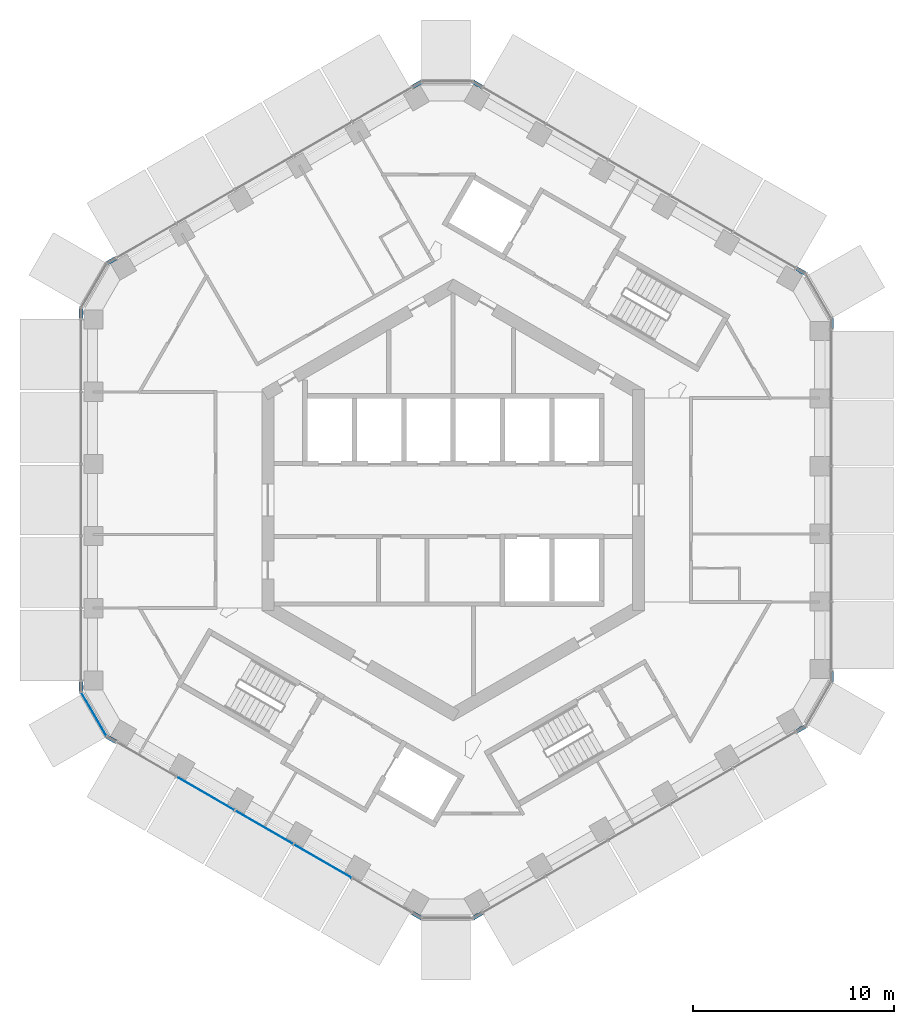
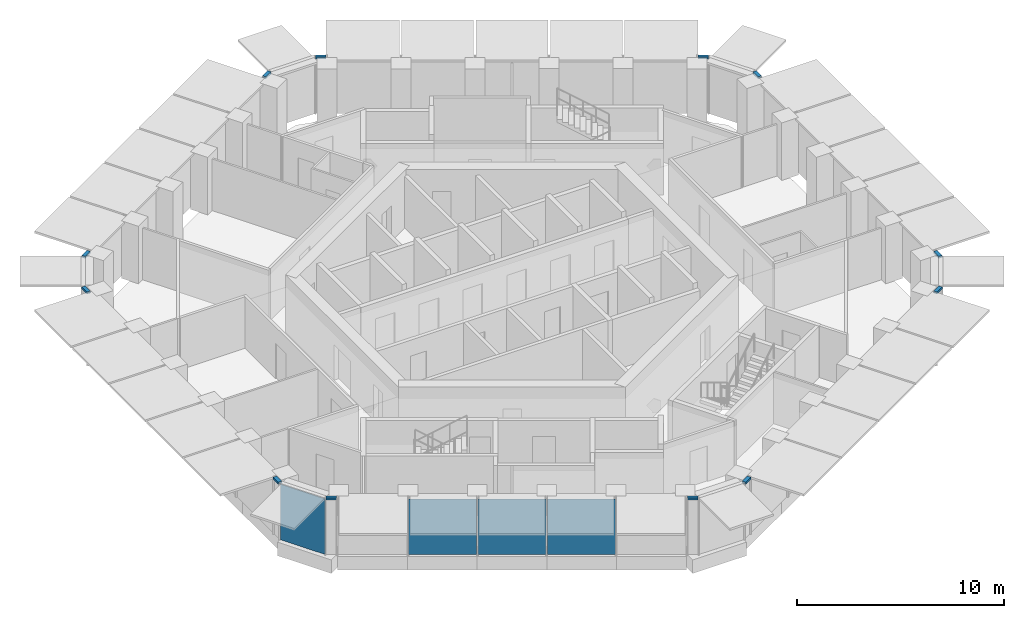
# One storey, part 8 of 18: 12 members, 4 plates, 7 elements without a shape of their own.
"""IFC4 building model written with IfcOpenShell, lengths in metres."""

import ifcopenshell
import ifcopenshell.guid

model = None  # the IFC model being written
_history = None  # IfcOwnerHistory: only IFC2X3 demands one
_inside = {}  # id of a spatial element -> (the spatial element, [elements in it])
_under = {}  # id of a project, library or spatial element -> (it, [spatial elements below it])
_declared = {}  # id of a project -> (the project, [libraries it declares])
_typed = {}  # id of a type object -> (the type object, [elements of that type])
_made_of = {}  # id of a material, layer set ... -> (it, [elements and type objects made of it])


def new_model(schema):
    """Start an empty IFC model of exactly this schema.

    Asked for "IFC4X3", IfcOpenShell would pick the latest addendum, in which some entities
    have other attributes; the version numbers below select the first issue.
    IFC2X3 requires an IfcOwnerHistory on every rooted entity: one is made here for all.
    """
    global model, _history
    if schema == "IFC4X3":
        model = ifcopenshell.file(schema_version=(4, 3, 0, 0))
    else:
        model = ifcopenshell.file(schema=schema)
    _inside.clear()
    _under.clear()
    _declared.clear()
    _typed.clear()
    _made_of.clear()
    _history = None
    if model.schema == "IFC2X3":
        org = make("IfcOrganization", Name="unknown")
        user = make(
            "IfcPersonAndOrganization",
            ThePerson=make("IfcPerson", FamilyName="unknown"),
            TheOrganization=org,
        )
        app = make(
            "IfcApplication",
            ApplicationDeveloper=org,
            Version="unknown",
            ApplicationFullName="unknown",
            ApplicationIdentifier="unknown",
        )
        _history = make(
            "IfcOwnerHistory",
            OwningUser=user,
            OwningApplication=app,
            ChangeAction="ADDED",
            CreationDate=0,
        )
    return model


def make(cls, **values):
    """One entity of the class cls with the attributes given. An attribute that is None is left unset."""
    return model.create_entity(
        cls, **{name: value for name, value in values.items() if value is not None}
    )


def rooted(cls, **values):
    """An entity with a GlobalId (a new one), such as an element, a storey or a relation."""
    return make(cls, GlobalId=ifcopenshell.guid.new(), OwnerHistory=_history, **values)


def si_unit(unit_type, name, prefix=None):
    """IfcSIUnit, for example si_unit("LENGTHUNIT", "METRE", prefix="MILLI")."""
    return make("IfcSIUnit", UnitType=unit_type, Prefix=prefix, Name=name)


def assignment(units):
    """IfcUnitAssignment: the units of a project."""
    return None if units is None else make("IfcUnitAssignment", Units=units)


def point(xyz):
    """IfcCartesianPoint."""
    return None if xyz is None else make("IfcCartesianPoint", Coordinates=xyz)


def direction(xyz):
    """IfcDirection."""
    return None if xyz is None else make("IfcDirection", DirectionRatios=xyz)


def frame(location, z_axis=None, x_axis=None):
    """IfcAxis2Placement3D, a coordinate frame: its origin and axes. An axis left out is left unset."""
    return make(
        "IfcAxis2Placement3D",
        Location=point(location),
        Axis=direction(z_axis),
        RefDirection=direction(x_axis),
    )


def frame_2d(location, x_axis=None):
    """IfcAxis2Placement2D, a coordinate frame in the plane: its origin and x axis."""
    return make(
        "IfcAxis2Placement2D", Location=point(location), RefDirection=direction(x_axis)
    )


def origin():
    """The frame at (0, 0, 0) with its axes left unset."""
    return frame((0.0, 0.0, 0.0))


def origin_2d():
    """The frame at (0, 0) in the plane with its x axis left unset."""
    return frame_2d((0.0, 0.0))


def place(relative_to, where):
    """IfcLocalPlacement: puts the frame where relative to a parent placement (None: the world)."""
    return make(
        "IfcLocalPlacement", PlacementRelTo=relative_to, RelativePlacement=where
    )


def context(
    kind, dimensions, precision=None, world=None, true_north=None, identifier=None
):
    """IfcGeometricRepresentationContext, for example the 3D "Model" context."""
    return make(
        "IfcGeometricRepresentationContext",
        ContextIdentifier=identifier,
        ContextType=kind,
        CoordinateSpaceDimension=dimensions,
        Precision=precision,
        WorldCoordinateSystem=world,
        TrueNorth=true_north,
    )


def subcontext(parent, identifier, kind, view, scale=None):
    """IfcGeometricRepresentationSubContext, for example "Body" below "Model"."""
    return make(
        "IfcGeometricRepresentationSubContext",
        ContextIdentifier=identifier,
        ContextType=kind,
        ParentContext=parent,
        TargetScale=scale,
        TargetView=view,
    )


def project(units=None, contexts=None):
    """IfcProject with its units and contexts."""
    return rooted(
        "IfcProject",
        Name="project",
        RepresentationContexts=contexts,
        UnitsInContext=assignment(units),
    )


def spatial(cls, under=None, at=None, **own):
    """A site, building, storey or space (cls), placed at a placement, below another one or the project."""
    s = rooted(cls, ObjectPlacement=at, **own)
    if under is not None:
        _under.setdefault(under.id(), (under, []))[1].append(s)
    return s


def profile(cls, at=None, kind="AREA", **sizes):
    """A parametric profile (cls). Its sizes go by their IFC names, for example OverallWidth=200.0."""
    return make(cls, ProfileType=kind, Position=at, **sizes)


def rectangle(**sizes):
    """IfcRectangleProfileDef."""
    return profile("IfcRectangleProfileDef", **sizes)


def extrude(swept, where, along, depth):
    """IfcExtrudedAreaSolid: the profile swept, set in the frame where, extruded along a direction by depth."""
    return make(
        "IfcExtrudedAreaSolid",
        SweptArea=swept,
        Position=where,
        ExtrudedDirection=direction(along),
        Depth=depth,
    )


def shape(context_of_items, identifier, shape_type, items):
    """IfcShapeRepresentation: the items that make up one representation, for example the "Body"."""
    return make(
        "IfcShapeRepresentation",
        ContextOfItems=context_of_items,
        RepresentationIdentifier=identifier,
        RepresentationType=shape_type,
        Items=items,
    )


def material(Name=None, Category=None):
    """IfcMaterial."""
    return make("IfcMaterial", Name=Name, Category=Category)


def layer(
    of_material, thickness, ventilated=None, Name=None, Category=None, Priority=None
):
    """IfcMaterialLayer: one layer of a wall or slab, of a material (None: an air gap)."""
    return make(
        "IfcMaterialLayer",
        Material=of_material,
        LayerThickness=thickness,
        IsVentilated=ventilated,
        Name=Name,
        Category=Category,
        Priority=Priority,
    )


def layer_set(layers, Name=None):
    """IfcMaterialLayerSet."""
    return make("IfcMaterialLayerSet", MaterialLayers=layers, LayerSetName=Name)


def material_profile(
    of_material, cross_section, Name=None, Category=None, Priority=None
):
    """IfcMaterialProfile: a cross section and its material."""
    return make(
        "IfcMaterialProfile",
        Name=Name,
        Material=of_material,
        Profile=cross_section,
        Priority=Priority,
        Category=Category,
    )


def profile_set(profiles, Name=None, composite=None):
    """IfcMaterialProfileSet."""
    return make(
        "IfcMaterialProfileSet",
        Name=Name,
        MaterialProfiles=profiles,
        CompositeProfile=composite,
    )


def made_of(thing, what):
    """Note that an element or type object is made of a material, layer set ...; save() writes the relation."""
    if what is not None:
        _made_of.setdefault(what.id(), (what, []))[1].append(thing)
    return thing


def type_object(cls, material=None, **own):
    """A type object (cls), such as IfcWallType, which elements share."""
    return made_of(rooted(cls, **own), material)


def element(
    cls,
    number,
    at=None,
    inside=None,
    cuts=None,
    type_object=None,
    material=None,
    context=None,
    identifier="Body",
    shape_type=None,
    held_by="IfcProductDefinitionShape",
    body=None,
    shapes=None,
    **own,
):
    """One element of the class cls, such as IfcWall. Its Tag is "e" and its number.

    at: its placement. inside: the storey or other place that contains it. cuts: it is an
    opening in that element (IfcRelVoidsElement). A single representation is given by context,
    identifier, shape_type and body (its items); several are given by shapes. held_by: the class
    of the entity that holds the representations. save() writes the other relations.
    """
    e = rooted(cls, Tag="e%d" % number, ObjectPlacement=at, **own)
    if body is not None:
        shapes = [shape(context, identifier, shape_type, body)]
    if shapes is not None:
        e.Representation = make(held_by, Representations=shapes)
    if inside is not None:
        _inside.setdefault(inside.id(), (inside, []))[1].append(e)
    if cuts is not None:
        rooted(
            "IfcRelVoidsElement", RelatingBuildingElement=cuts, RelatedOpeningElement=e
        )
    if type_object is not None:
        _typed.setdefault(type_object.id(), (type_object, []))[1].append(e)
    return made_of(e, material)


def aggregate(whole, parts):
    """IfcRelAggregates: a whole, such as a stair, and the parts it consists of."""
    return rooted("IfcRelAggregates", RelatingObject=whole, RelatedObjects=parts)


def save(model, path):
    """Write the relations noted so far, then the file.

    IfcRelAggregates (storeys below a building ...), IfcRelContainedInSpatialStructure (elements
    in a storey), IfcRelDefinesByType, IfcRelAssociatesMaterial and IfcRelDeclares: one each for
    every whole, place, type object, material and project.
    """
    for whole, parts in _under.values():
        aggregate(whole, parts)
    for where, things in _inside.values():
        rooted(
            "IfcRelContainedInSpatialStructure",
            RelatedElements=things,
            RelatingStructure=where,
        )
    for kind, things in _typed.values():
        rooted("IfcRelDefinesByType", RelatedObjects=things, RelatingType=kind)
    for what, things in _made_of.values():
        rooted("IfcRelAssociatesMaterial", RelatedObjects=things, RelatingMaterial=what)
    for by, libraries in _declared.values():
        rooted("IfcRelDeclares", RelatingContext=by, RelatedDefinitions=libraries)
    model.write(path)


model = new_model("IFC4")

# Units and contexts
model_context = context("Model", 3, precision=1e-05, world=origin(), true_north=direction((0.0, 1.0)))
body_context = subcontext(model_context, "Body", "Model", "MODEL_VIEW")
ifc_project = project(units=[si_unit("LENGTHUNIT", "METRE"), si_unit("AREAUNIT", "SQUARE_METRE"), si_unit("VOLUMEUNIT", "CUBIC_METRE"), si_unit("PLANEANGLEUNIT", "RADIAN"), si_unit("MASSUNIT", "GRAM", prefix="KILO")], contexts=[model_context])

# Site, building, storey
site_placement = place(None, origin())
site = spatial("IfcSite", under=ifc_project, at=site_placement, CompositionType="ELEMENT")
building_placement = place(site_placement, origin())
building = spatial("IfcBuilding", under=site, at=building_placement, Name="Ayvan Gate Tower", CompositionType="ELEMENT")
storey_placement = place(building_placement, frame((0.0, 0.0, 169.699951171875)))
storey = spatial("IfcBuildingStorey", under=building, at=storey_placement, Name="L45", CompositionType="ELEMENT", Elevation=169.699951171875)

# Curtain wall, members
ifc_material_1 = material(Name="Bronze anodised aluminium", Category="aluminium")
ifc_layer_1 = layer(ifc_material_1, 0.199951171875)
ifc_layer_set_1 = layer_set([ifc_layer_1], Name="Bronze anodised aluminium")
curtain_wall_type_1 = type_object("IfcCurtainWallType", Name="Stick curtain wall CW-6", PredefinedType="NOTDEFINED", material=ifc_layer_set_1)
curtain_wall_1_placement = place(storey_placement, origin())
curtain_wall_1 = element("IfcCurtainWall", 1, at=curtain_wall_1_placement, inside=storey, type_object=curtain_wall_type_1, Name="Stick curtain wall CW-6 L45", PredefinedType="NOTDEFINED")
ifc_material_profile = material_profile(ifc_material_1, rectangle(XDim=0.199951171875, YDim=0.1201171875, at=origin_2d()), Name="Stick curtain wall CW-6 transom 200 x 120")
ifc_profile_set = profile_set([ifc_material_profile], Name="Bronze anodised aluminium")
member_type = type_object("IfcMemberType", Name="Stick curtain wall CW-6 transom 200 x 120", PredefinedType="USERDEFINED", material=ifc_profile_set)
member_1_placement = place(storey_placement, frame((-16.742919921875, 11.99755859375, 3.340087890625), z_axis=(-0.865949687125, -0.500131122175, 0.0), x_axis=(0.500131122175, -0.865949687125, 0.0)))
member_1 = element("IfcMember", 2, at=member_1_placement, type_object=member_type, Name="CW-6 transom 1", ObjectType="TRANSOM", PredefinedType="USERDEFINED", context=body_context, shape_type="SweptSolid", body=[
    extrude(rectangle(XDim=0.199951171875, YDim=0.1201171875, at=origin_2d()), origin(), (0.0, 0.0, 1.0), 0.499755859375),
])
member_2_placement = place(storey_placement, frame((-18.46484375, 9.514892578125, 3.340087890625), z_axis=(0.0, -1.0, 0.0), x_axis=(1.0, 0.0, 0.0)))
member_2 = element("IfcMember", 3, at=member_2_placement, type_object=member_type, Name="CW-6 transom 3", ObjectType="TRANSOM", PredefinedType="USERDEFINED", context=body_context, shape_type="SweptSolid", body=[
    extrude(rectangle(XDim=0.199951171875, YDim=0.1201171875, at=origin_2d()), origin(), (0.0, 0.0, 1.0), 0.5),
])
aggregate(curtain_wall_1, [member_1, member_2])

curtain_wall_2_placement = place(storey_placement, origin())
curtain_wall_2 = element("IfcCurtainWall", 4, at=curtain_wall_2_placement, inside=storey, type_object=curtain_wall_type_1, Name="Stick curtain wall CW-6 L45", PredefinedType="NOTDEFINED")
member_3_placement = place(storey_placement, frame((-18.46484375, -9.014892578125, 3.340087890625), z_axis=(0.0, -1.0, 0.0), x_axis=(1.0, 0.0, 0.0)))
member_3 = element("IfcMember", 5, at=member_3_placement, type_object=member_type, Name="CW-6 transom 1", ObjectType="TRANSOM", PredefinedType="USERDEFINED", context=body_context, shape_type="SweptSolid", body=[
    extrude(rectangle(XDim=0.199951171875, YDim=0.1201171875, at=origin_2d()), origin(), (0.0, 0.0, 1.0), 0.5),
])
member_4_placement = place(storey_placement, frame((-17.17578125, -11.74755859375, 3.340087890625), z_axis=(0.865949687125, -0.500131122175, 0.0), x_axis=(0.500131122175, 0.865949687125, 0.0)))
member_4 = element("IfcMember", 6, at=member_4_placement, type_object=member_type, Name="CW-6 transom 3", ObjectType="TRANSOM", PredefinedType="USERDEFINED", context=body_context, shape_type="SweptSolid", body=[
    extrude(rectangle(XDim=0.199951171875, YDim=0.1201171875, at=origin_2d()), origin(), (0.0, 0.0, 1.0), 0.499755859375),
])

curtain_wall_3_placement = place(storey_placement, origin())
curtain_wall_3 = element("IfcCurtainWall", 7, at=curtain_wall_3_placement, inside=storey, type_object=curtain_wall_type_1, Name="Stick curtain wall CW-6 L45", PredefinedType="NOTDEFINED")
member_5_placement = place(storey_placement, frame((-2.018798828125, -20.49853515625, 3.340087890625), z_axis=(0.866071776036, -0.499919672301, 0.0), x_axis=(0.499919672301, 0.866071776036, 0.0)))
member_5 = element("IfcMember", 8, at=member_5_placement, type_object=member_type, Name="CW-6 transom 1", ObjectType="TRANSOM", PredefinedType="USERDEFINED", context=body_context, shape_type="SweptSolid", body=[
    extrude(rectangle(XDim=0.199951171875, YDim=0.1201171875, at=origin_2d()), origin(), (0.0, 0.0, 1.0), 0.5),
])
member_6_placement = place(storey_placement, frame((0.9921875, -20.74853515625, 3.340087890625), z_axis=(0.866071776036, 0.499919672301, 0.0), x_axis=(-0.499919672301, 0.866071776036, 0.0)))
member_6 = element("IfcMember", 9, at=member_6_placement, type_object=member_type, Name="CW-6 transom 3", ObjectType="TRANSOM", PredefinedType="USERDEFINED", context=body_context, shape_type="SweptSolid", body=[
    extrude(rectangle(XDim=0.199951171875, YDim=0.1201171875, at=origin_2d()), origin(), (0.0, 0.0, 1.0), 0.5),
])
aggregate(curtain_wall_3, [member_5, member_6])

curtain_wall_4_placement = place(storey_placement, origin())
curtain_wall_4 = element("IfcCurtainWall", 10, at=curtain_wall_4_placement, inside=storey, type_object=curtain_wall_type_1, Name="Stick curtain wall CW-6 L45", PredefinedType="NOTDEFINED")
member_7_placement = place(storey_placement, frame((17.03955078125, -11.4833984375, 3.340087890625), z_axis=(0.866071776036, 0.499919672301, 0.0), x_axis=(-0.499919672301, 0.866071776036, 0.0)))
member_7 = element("IfcMember", 11, at=member_7_placement, type_object=member_type, Name="CW-6 transom 1", ObjectType="TRANSOM", PredefinedType="USERDEFINED", context=body_context, shape_type="SweptSolid", body=[
    extrude(rectangle(XDim=0.199951171875, YDim=0.1201171875, at=origin_2d()), origin(), (0.0, 0.0, 1.0), 0.5),
])
member_8_placement = place(storey_placement, frame((18.761474609375, -9.0009765625, 3.340087890625), z_axis=(0.0, 1.0, 0.0), x_axis=(-1.0, 0.0, 0.0)))
member_8 = element("IfcMember", 12, at=member_8_placement, type_object=member_type, Name="CW-6 transom 3", ObjectType="TRANSOM", PredefinedType="USERDEFINED", context=body_context, shape_type="SweptSolid", body=[
    extrude(rectangle(XDim=0.199951171875, YDim=0.1201171875, at=origin_2d()), origin(), (0.0, 0.0, 1.0), 0.5),
])
aggregate(curtain_wall_4, [member_7, member_8])

curtain_wall_5_placement = place(storey_placement, origin())
curtain_wall_5 = element("IfcCurtainWall", 13, at=curtain_wall_5_placement, inside=storey, type_object=curtain_wall_type_1, Name="Stick curtain wall CW-6 L45", PredefinedType="NOTDEFINED")
member_9_placement = place(storey_placement, frame((18.761474609375, 8.5009765625, 3.340087890625), z_axis=(0.0, 1.0, 0.0), x_axis=(-1.0, 0.0, 0.0)))
member_9 = element("IfcMember", 14, at=member_9_placement, type_object=member_type, Name="CW-6 transom 1", ObjectType="TRANSOM", PredefinedType="USERDEFINED", context=body_context, shape_type="SweptSolid", body=[
    extrude(rectangle(XDim=0.199951171875, YDim=0.1201171875, at=origin_2d()), origin(), (0.0, 0.0, 1.0), 0.5),
])
member_10_placement = place(storey_placement, frame((17.47265625, 11.2333984375, 3.340087890625), z_axis=(-0.866071776036, 0.499919672301, 0.0), x_axis=(-0.499919672301, -0.866071776036, 0.0)))
member_10 = element("IfcMember", 15, at=member_10_placement, type_object=member_type, Name="CW-6 transom 3", ObjectType="TRANSOM", PredefinedType="USERDEFINED", context=body_context, shape_type="SweptSolid", body=[
    extrude(rectangle(XDim=0.199951171875, YDim=0.1201171875, at=origin_2d()), origin(), (0.0, 0.0, 1.0), 0.5),
])
aggregate(curtain_wall_5, [member_9, member_10])

curtain_wall_6_placement = place(storey_placement, origin())
curtain_wall_6 = element("IfcCurtainWall", 16, at=curtain_wall_6_placement, inside=storey, type_object=curtain_wall_type_1, Name="Stick curtain wall CW-6 L45", PredefinedType="NOTDEFINED")
member_11_placement = place(storey_placement, frame((1.42529296875, 20.49853515625, 3.340087890625), z_axis=(-0.866071776036, 0.499919672301, 0.0), x_axis=(-0.499919672301, -0.866071776036, 0.0)))
member_11 = element("IfcMember", 17, at=member_11_placement, type_object=member_type, Name="CW-6 transom 1", ObjectType="TRANSOM", PredefinedType="USERDEFINED", context=body_context, shape_type="SweptSolid", body=[
    extrude(rectangle(XDim=0.199951171875, YDim=0.1201171875, at=origin_2d()), origin(), (0.0, 0.0, 1.0), 0.5),
])
member_12_placement = place(storey_placement, frame((-1.585693359375, 20.74853515625, 3.340087890625), z_axis=(-0.866071776036, -0.499919672301, 0.0), x_axis=(0.499919672301, -0.866071776036, 0.0)))
member_12 = element("IfcMember", 18, at=member_12_placement, type_object=member_type, Name="CW-6 transom 3", ObjectType="TRANSOM", PredefinedType="USERDEFINED", context=body_context, shape_type="SweptSolid", body=[
    extrude(rectangle(XDim=0.199951171875, YDim=0.1201171875, at=origin_2d()), origin(), (0.0, 0.0, 1.0), 0.5),
])
aggregate(curtain_wall_6, [member_11, member_12])

# Curtain wall, plates
ifc_layer_2 = layer(ifc_material_1, 0.199951171875)
ifc_layer_set_2 = layer_set([ifc_layer_2], Name="Bronze anodised aluminium")
curtain_wall_type_2 = type_object("IfcCurtainWallType", Name="Stick curtain wall CW-2", PredefinedType="NOTDEFINED", material=ifc_layer_set_2)
curtain_wall_7_placement = place(storey_placement, origin())
curtain_wall_7 = element("IfcCurtainWall", 19, at=curtain_wall_7_placement, inside=storey, type_object=curtain_wall_type_2, Name="Stick curtain wall CW-2 L45", PredefinedType="NOTDEFINED")
ifc_material_2 = material(Name="Clear low-iron laminated glass", Category="glass")
ifc_layer_3 = layer(ifc_material_2, 0.028076171875)
ifc_layer_set_3 = layer_set([ifc_layer_3], Name="Clear low-iron laminated glass")
plate_type_1 = type_object("IfcPlateType", Name="Stick curtain wall CW-2 glass panel", PredefinedType="CURTAIN_PANEL", material=ifc_layer_set_3)
plate_1_placement = place(storey_placement, frame((-12.28759765625, -14.56982421875, 0.0), z_axis=(0.0, 0.0, 1.0), x_axis=(0.866025403784, -0.5, 0.0)))
plate_1 = element("IfcPlate", 20, at=plate_1_placement, type_object=plate_type_1, Name="CW-2 glass panel 2", PredefinedType="CURTAIN_PANEL", context=body_context, shape_type="SweptSolid", body=[
    extrude(rectangle(XDim=3.287109375, YDim=0.028076171875, at=origin_2d()), origin(), (0.0, 0.0, 1.0), 3.280029296875),
])
plate_2_placement = place(storey_placement, frame((-9.380859375, -16.248046875, 0.0), z_axis=(0.0, 0.0, 1.0), x_axis=(0.866025403784, -0.5, 0.0)))
plate_2 = element("IfcPlate", 21, at=plate_2_placement, type_object=plate_type_1, Name="CW-2 glass panel 3", PredefinedType="CURTAIN_PANEL", context=body_context, shape_type="SweptSolid", body=[
    extrude(rectangle(XDim=3.285888671875, YDim=0.028076171875, at=origin_2d()), origin(), (0.0, 0.0, 1.0), 3.280029296875),
])
plate_3_placement = place(storey_placement, frame((-6.473876953125, -17.92626953125, 0.0), z_axis=(0.0, 0.0, 1.0), x_axis=(0.866025403784, -0.5, 0.0)))
plate_3 = element("IfcPlate", 22, at=plate_3_placement, type_object=plate_type_1, Name="CW-2 glass panel 4", PredefinedType="CURTAIN_PANEL", context=body_context, shape_type="SweptSolid", body=[
    extrude(rectangle(XDim=3.287109375, YDim=0.028076171875, at=origin_2d()), origin(), (0.0, 0.0, 1.0), 3.280029296875),
])
aggregate(curtain_wall_7, [plate_1, plate_2, plate_3])

# Plate
ifc_layer_4 = layer(ifc_material_2, 0.028076171875)
ifc_layer_set_4 = layer_set([ifc_layer_4], Name="Clear low-iron laminated glass")
plate_type_2 = type_object("IfcPlateType", Name="Stick curtain wall CW-6 glass panel", PredefinedType="CURTAIN_PANEL", material=ifc_layer_set_4)
plate_4_placement = place(storey_placement, frame((-17.8310546875, -10.637451171875, 0.0), z_axis=(0.0, 0.0, 1.0), x_axis=(0.5, -0.866025403784, 0.0)))
plate_4 = element("IfcPlate", 23, at=plate_4_placement, type_object=plate_type_2, Name="CW-6 glass panel 2", PredefinedType="CURTAIN_PANEL", context=body_context, shape_type="SweptSolid", body=[
    extrude(rectangle(XDim=2.484619140625, YDim=0.028076171875, at=origin_2d()), origin(), (0.0, 0.0, 1.0), 3.280029296875),
])

aggregate(curtain_wall_2, [member_3, member_4, plate_4])

save(model, "model.ifc")
